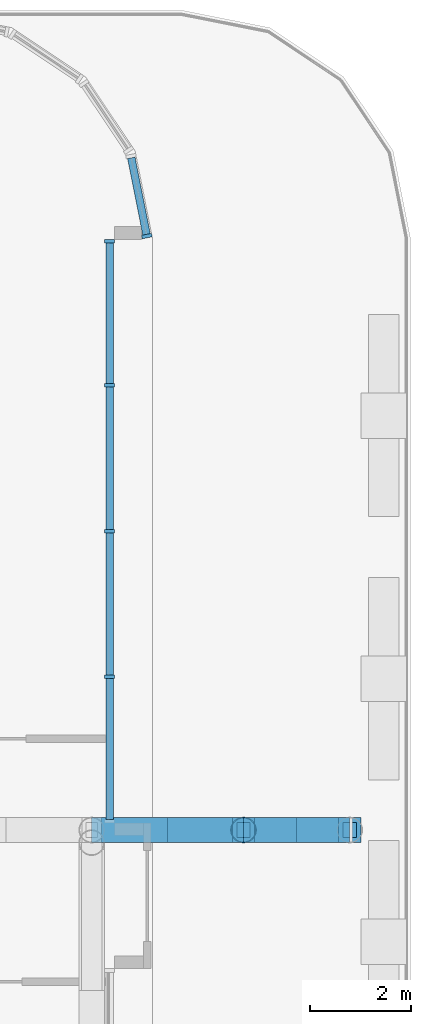
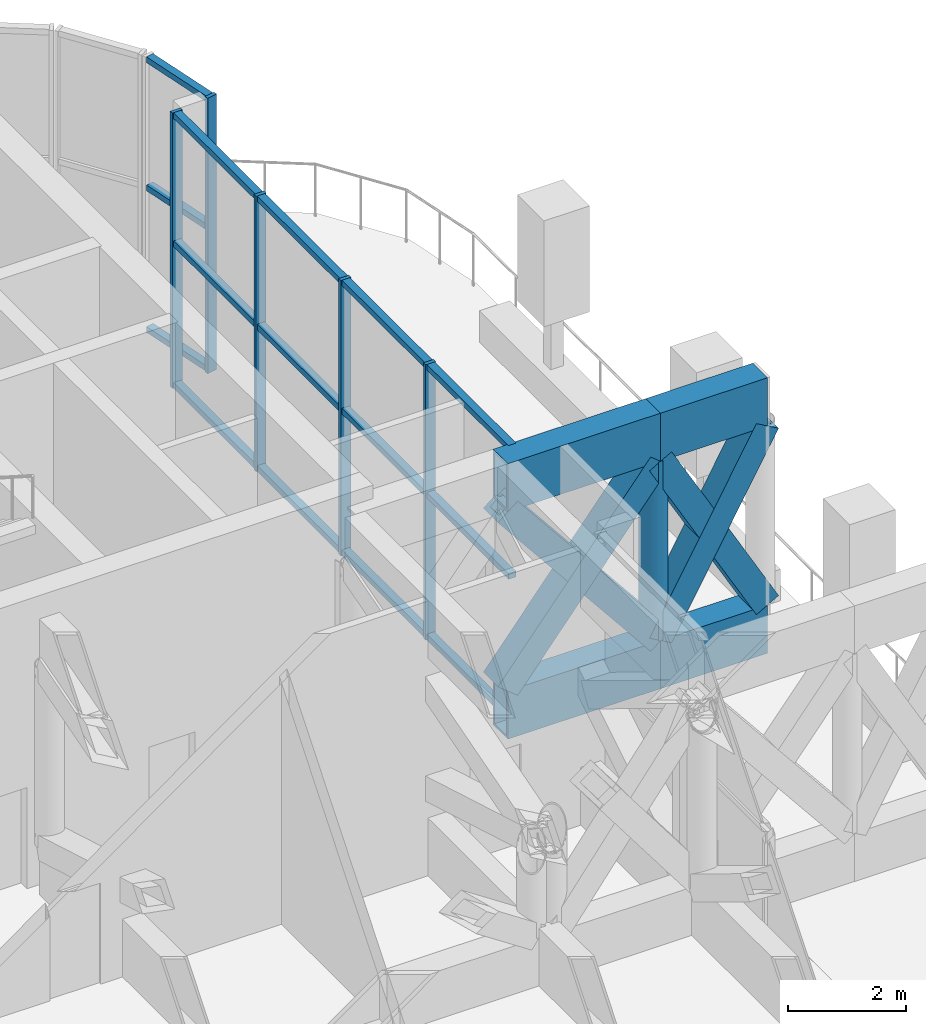
# One storey, part 8 of 25: 25 members, 4 beams, 2 elements without a shape of their own.
"""IFC4 building model written with IfcOpenShell, lengths in metres."""

from ifc_helpers import new_model, si_unit, direction, frame, origin, origin_2d, place, context, subcontext, project, spatial, rectangle, hollow_rectangle, hollow_circle, extrude, material, layer, layer_set, material_profile, profile_set, type_object, element, aggregate, save


model = new_model("IFC4")

# Units and contexts
model_context = context("Model", 3, precision=1e-05, world=origin(), true_north=direction((0.0, 1.0)))
body_context = subcontext(model_context, "Body", "Model", "MODEL_VIEW")
ifc_project = project(units=[si_unit("LENGTHUNIT", "METRE"), si_unit("AREAUNIT", "SQUARE_METRE"), si_unit("VOLUMEUNIT", "CUBIC_METRE"), si_unit("PLANEANGLEUNIT", "RADIAN"), si_unit("MASSUNIT", "GRAM", prefix="KILO")], contexts=[model_context])

# Site, building, storey
site_placement = place(None, origin())
site = spatial("IfcSite", under=ifc_project, at=site_placement, CompositionType="ELEMENT")
building_placement = place(site_placement, origin())
building = spatial("IfcBuilding", under=site, at=building_placement, Name="Torana Hotel and Residences", CompositionType="ELEMENT")
storey_placement = place(building_placement, frame((0.0, 0.0, 106.800048828125)))
storey = spatial("IfcBuildingStorey", under=building, at=storey_placement, Name="L27", CompositionType="ELEMENT", Elevation=106.800048828125)

# Curtain wall, member
ifc_material_1 = material(Name="Dark anodised aluminium", Category="aluminium")
ifc_layer = layer(ifc_material_1, 0.199951171875)
ifc_layer_set = layer_set([ifc_layer], Name="CW2 SKY LOBBY UNITISED CURTAIN WALL")
curtain_wall_type = type_object("IfcCurtainWallType", Name="CW2 SKY LOBBY UNITISED CURTAIN WALL", PredefinedType="NOTDEFINED", material=ifc_layer_set)
curtain_wall_1_placement = place(storey_placement, origin())
curtain_wall_1 = element("IfcCurtainWall", 1, at=curtain_wall_1_placement, inside=storey, type_object=curtain_wall_type, Name="Curtain wall CW2 L27 e0.0-1", PredefinedType="NOTDEFINED")
ifc_material_2 = material(Name="Dark anodised aluminium", Category="aluminium")
ifc_material_profile_1 = material_profile(ifc_material_2, rectangle(XDim=0.199951171875, YDim=0.070068359375, at=origin_2d()), Name="CW2 MULLION 70x200")
ifc_profile_set_1 = profile_set([ifc_material_profile_1], Name="Dark anodised aluminium")
member_type_1 = type_object("IfcMemberType", Name="CW2 MULLION 70x200", PredefinedType="MULLION", material=ifc_profile_set_1)
member_1_placement = place(storey_placement, frame((28.09033203125, -3.260986328125, 0.0), z_axis=(0.0, 0.0, 1.0), x_axis=(-0.980790545928, -0.195063848566, 0.0)))
member_1 = element("IfcMember", 2, at=member_1_placement, type_object=member_type_1, Name="CW2 mullion 1", PredefinedType="MULLION", context=body_context, shape_type="SweptSolid", body=[
    extrude(rectangle(XDim=0.199951171875, YDim=0.070068359375, at=origin_2d()), origin(), (0.0, 0.0, 1.0), 5.719970703125),
])

# Curtain wall, members
curtain_wall_2_placement = place(storey_placement, origin())
curtain_wall_2 = element("IfcCurtainWall", 3, at=curtain_wall_2_placement, inside=storey, type_object=curtain_wall_type, Name="Curtain wall CW2 L27 e0.19-2", PredefinedType="NOTDEFINED")
member_2_placement = place(storey_placement, frame((27.35498046875, -11.974853515625, 0.0), z_axis=(0.0, 0.0, 1.0), x_axis=(-1.0, 0.0, 0.0)))
member_2 = element("IfcMember", 4, at=member_2_placement, type_object=member_type_1, Name="CW2 mullion 2", PredefinedType="MULLION", context=body_context, shape_type="SweptSolid", body=[
    extrude(rectangle(XDim=0.199951171875, YDim=0.070068359375, at=origin_2d()), origin(), (0.0, 0.0, 1.0), 5.719970703125),
])
member_3_placement = place(storey_placement, frame((27.35498046875, -9.091552734375, 0.0), z_axis=(0.0, 0.0, 1.0), x_axis=(-1.0, 0.0, 0.0)))
member_3 = element("IfcMember", 5, at=member_3_placement, type_object=member_type_1, Name="CW2 mullion 3", PredefinedType="MULLION", context=body_context, shape_type="SweptSolid", body=[
    extrude(rectangle(XDim=0.199951171875, YDim=0.070068359375, at=origin_2d()), origin(), (0.0, 0.0, 1.0), 5.719970703125),
])
member_4_placement = place(storey_placement, frame((27.35498046875, -6.2080078125, 0.0), z_axis=(0.0, 0.0, 1.0), x_axis=(-1.0, 0.0, 0.0)))
member_4 = element("IfcMember", 6, at=member_4_placement, type_object=member_type_1, Name="CW2 mullion 4", PredefinedType="MULLION", context=body_context, shape_type="SweptSolid", body=[
    extrude(rectangle(XDim=0.199951171875, YDim=0.070068359375, at=origin_2d()), origin(), (0.0, 0.0, 1.0), 5.719970703125),
])
member_5_placement = place(storey_placement, frame((27.35498046875, -3.359619140625, 0.0), z_axis=(0.0, 0.0, 1.0), x_axis=(-1.0, 0.0, 0.0)))
member_5 = element("IfcMember", 7, at=member_5_placement, type_object=member_type_1, Name="CW2 mullion 5", PredefinedType="MULLION", context=body_context, shape_type="SweptSolid", body=[
    extrude(rectangle(XDim=0.199951171875, YDim=0.070068359375, at=origin_2d()), origin(), (0.0, 0.0, 1.0), 5.719970703125),
])

# Member
ifc_material_3 = material(Name="Dark anodised aluminium", Category="aluminium")
ifc_material_profile_2 = material_profile(ifc_material_3, rectangle(XDim=0.14990234375, YDim=0.1201171875, at=origin_2d()), Name="CW2 TRANSOM 150x120")
ifc_profile_set_2 = profile_set([ifc_material_profile_2], Name="Dark anodised aluminium")
member_type_2 = type_object("IfcMemberType", Name="CW2 TRANSOM 150x120", PredefinedType="USERDEFINED", material=ifc_profile_set_2)
member_6_placement = place(storey_placement, frame((28.08349609375, -3.226806640625, 0.06005859375), z_axis=(-0.19511099609, 0.980781167848, 0.0), x_axis=(-0.980781167848, -0.19511099609, 0.0)))
member_6 = element("IfcMember", 8, at=member_6_placement, type_object=member_type_2, Name="CW2 transom 1.1", ObjectType="TRANSOM", PredefinedType="USERDEFINED", context=body_context, shape_type="SweptSolid", body=[
    extrude(rectangle(XDim=0.14990234375, YDim=0.1201171875, at=origin_2d()), origin(), (0.0, 0.0, 1.0), 1.54150390625),
])

member_7_placement = place(storey_placement, frame((28.08349609375, -3.226806640625, 3.0), z_axis=(-0.19511099609, 0.980781167848, 0.0), x_axis=(-0.980781167848, -0.19511099609, 0.0)))
member_7 = element("IfcMember", 9, at=member_7_placement, type_object=member_type_2, Name="CW2 transom 1.2", ObjectType="TRANSOM", PredefinedType="USERDEFINED", context=body_context, shape_type="SweptSolid", body=[
    extrude(rectangle(XDim=0.14990234375, YDim=0.1201171875, at=origin_2d()), origin(), (0.0, 0.0, 1.0), 1.54150390625),
])

member_8_placement = place(storey_placement, frame((28.08349609375, -3.226806640625, 5.659912109375), z_axis=(-0.19511099609, 0.980781167848, 0.0), x_axis=(-0.980781167848, -0.19511099609, 0.0)))
member_8 = element("IfcMember", 10, at=member_8_placement, type_object=member_type_2, Name="CW2 transom 1.3", ObjectType="TRANSOM", PredefinedType="USERDEFINED", context=body_context, shape_type="SweptSolid", body=[
    extrude(rectangle(XDim=0.14990234375, YDim=0.1201171875, at=origin_2d()), origin(), (0.0, 0.0, 1.0), 1.54150390625),
])

aggregate(curtain_wall_1, [member_1, member_6, member_7, member_8])

member_9_placement = place(storey_placement, frame((27.35498046875, -14.788330078125, 0.06005859375), z_axis=(0.0, 1.0, 0.0), x_axis=(-1.0, 0.0, 0.0)))
member_9 = element("IfcMember", 11, at=member_9_placement, type_object=member_type_2, Name="CW2 transom 1.1", ObjectType="TRANSOM", PredefinedType="USERDEFINED", context=body_context, shape_type="SweptSolid", body=[
    extrude(rectangle(XDim=0.14990234375, YDim=0.1201171875, at=origin_2d()), origin(), (0.0, 0.0, 1.0), 2.778564453125),
])

member_10_placement = place(storey_placement, frame((27.35498046875, -14.788330078125, 3.0), z_axis=(0.0, 1.0, 0.0), x_axis=(-1.0, 0.0, 0.0)))
member_10 = element("IfcMember", 12, at=member_10_placement, type_object=member_type_2, Name="CW2 transom 1.2", ObjectType="TRANSOM", PredefinedType="USERDEFINED", context=body_context, shape_type="SweptSolid", body=[
    extrude(rectangle(XDim=0.14990234375, YDim=0.1201171875, at=origin_2d()), origin(), (0.0, 0.0, 1.0), 2.778564453125),
])

member_11_placement = place(storey_placement, frame((27.35498046875, -14.788330078125, 5.659912109375), z_axis=(0.0, 1.0, 0.0), x_axis=(-1.0, 0.0, 0.0)))
member_11 = element("IfcMember", 13, at=member_11_placement, type_object=member_type_2, Name="CW2 transom 1.3", ObjectType="TRANSOM", PredefinedType="USERDEFINED", context=body_context, shape_type="SweptSolid", body=[
    extrude(rectangle(XDim=0.14990234375, YDim=0.1201171875, at=origin_2d()), origin(), (0.0, 0.0, 1.0), 2.778564453125),
])

member_12_placement = place(storey_placement, frame((27.35498046875, -11.93994140625, 0.06005859375), z_axis=(0.0, 1.0, 0.0), x_axis=(-1.0, 0.0, 0.0)))
member_12 = element("IfcMember", 14, at=member_12_placement, type_object=member_type_2, Name="CW2 transom 2.1", ObjectType="TRANSOM", PredefinedType="USERDEFINED", context=body_context, shape_type="SweptSolid", body=[
    extrude(rectangle(XDim=0.14990234375, YDim=0.1201171875, at=origin_2d()), origin(), (0.0, 0.0, 1.0), 2.8134765625),
])

member_13_placement = place(storey_placement, frame((27.35498046875, -11.93994140625, 3.0), z_axis=(0.0, 1.0, 0.0), x_axis=(-1.0, 0.0, 0.0)))
member_13 = element("IfcMember", 15, at=member_13_placement, type_object=member_type_2, Name="CW2 transom 2.2", ObjectType="TRANSOM", PredefinedType="USERDEFINED", context=body_context, shape_type="SweptSolid", body=[
    extrude(rectangle(XDim=0.14990234375, YDim=0.1201171875, at=origin_2d()), origin(), (0.0, 0.0, 1.0), 2.8134765625),
])

member_14_placement = place(storey_placement, frame((27.35498046875, -11.93994140625, 5.659912109375), z_axis=(0.0, 1.0, 0.0), x_axis=(-1.0, 0.0, 0.0)))
member_14 = element("IfcMember", 16, at=member_14_placement, type_object=member_type_2, Name="CW2 transom 2.3", ObjectType="TRANSOM", PredefinedType="USERDEFINED", context=body_context, shape_type="SweptSolid", body=[
    extrude(rectangle(XDim=0.14990234375, YDim=0.1201171875, at=origin_2d()), origin(), (0.0, 0.0, 1.0), 2.8134765625),
])

member_15_placement = place(storey_placement, frame((27.35498046875, -9.056396484375, 0.06005859375), z_axis=(0.0, 1.0, 0.0), x_axis=(-1.0, 0.0, 0.0)))
member_15 = element("IfcMember", 17, at=member_15_placement, type_object=member_type_2, Name="CW2 transom 3.1", ObjectType="TRANSOM", PredefinedType="USERDEFINED", context=body_context, shape_type="SweptSolid", body=[
    extrude(rectangle(XDim=0.14990234375, YDim=0.1201171875, at=origin_2d()), origin(), (0.0, 0.0, 1.0), 2.8134765625),
])

member_16_placement = place(storey_placement, frame((27.35498046875, -9.056396484375, 3.0), z_axis=(0.0, 1.0, 0.0), x_axis=(-1.0, 0.0, 0.0)))
member_16 = element("IfcMember", 18, at=member_16_placement, type_object=member_type_2, Name="CW2 transom 3.2", ObjectType="TRANSOM", PredefinedType="USERDEFINED", context=body_context, shape_type="SweptSolid", body=[
    extrude(rectangle(XDim=0.14990234375, YDim=0.1201171875, at=origin_2d()), origin(), (0.0, 0.0, 1.0), 2.8134765625),
])

member_17_placement = place(storey_placement, frame((27.35498046875, -9.056396484375, 5.659912109375), z_axis=(0.0, 1.0, 0.0), x_axis=(-1.0, 0.0, 0.0)))
member_17 = element("IfcMember", 19, at=member_17_placement, type_object=member_type_2, Name="CW2 transom 3.3", ObjectType="TRANSOM", PredefinedType="USERDEFINED", context=body_context, shape_type="SweptSolid", body=[
    extrude(rectangle(XDim=0.14990234375, YDim=0.1201171875, at=origin_2d()), origin(), (0.0, 0.0, 1.0), 2.8134765625),
])

member_18_placement = place(storey_placement, frame((27.35498046875, -6.173095703125, 0.06005859375), z_axis=(0.0, 1.0, 0.0), x_axis=(-1.0, 0.0, 0.0)))
member_18 = element("IfcMember", 20, at=member_18_placement, type_object=member_type_2, Name="CW2 transom 4.1", ObjectType="TRANSOM", PredefinedType="USERDEFINED", context=body_context, shape_type="SweptSolid", body=[
    extrude(rectangle(XDim=0.14990234375, YDim=0.1201171875, at=origin_2d()), origin(), (0.0, 0.0, 1.0), 2.778564453125),
])

member_19_placement = place(storey_placement, frame((27.35498046875, -6.173095703125, 3.0), z_axis=(0.0, 1.0, 0.0), x_axis=(-1.0, 0.0, 0.0)))
member_19 = element("IfcMember", 21, at=member_19_placement, type_object=member_type_2, Name="CW2 transom 4.2", ObjectType="TRANSOM", PredefinedType="USERDEFINED", context=body_context, shape_type="SweptSolid", body=[
    extrude(rectangle(XDim=0.14990234375, YDim=0.1201171875, at=origin_2d()), origin(), (0.0, 0.0, 1.0), 2.778564453125),
])

member_20_placement = place(storey_placement, frame((27.35498046875, -6.173095703125, 5.659912109375), z_axis=(0.0, 1.0, 0.0), x_axis=(-1.0, 0.0, 0.0)))
member_20 = element("IfcMember", 22, at=member_20_placement, type_object=member_type_2, Name="CW2 transom 4.3", ObjectType="TRANSOM", PredefinedType="USERDEFINED", context=body_context, shape_type="SweptSolid", body=[
    extrude(rectangle(XDim=0.14990234375, YDim=0.1201171875, at=origin_2d()), origin(), (0.0, 0.0, 1.0), 2.778564453125),
])

aggregate(curtain_wall_2, [member_2, member_3, member_4, member_5, member_9, member_10, member_11, member_12, member_13, member_14, member_15, member_16, member_17, member_18, member_19, member_20])

# Beams
ifc_material_4 = material(Name="Steel S355", Category="steel")
ifc_material_profile_3 = material_profile(ifc_material_4, hollow_rectangle(XDim=0.5, YDim=1.0, WallThickness=0.050048828125, at=origin_2d()), Name="BOX 1000x500x50")
ifc_profile_set_3 = profile_set([ifc_material_profile_3], Name="Steel S355")
beam_type = type_object("IfcBeamType", Name="STEEL CHORD BOX 1000x500x50", PredefinedType="BEAM", material=ifc_profile_set_3)
for number, where, z_axis, x_axis, name in (
    (23, (27.0, -15.0, 0.5), (1.0, 0.0, 0.0), (0.0, 1.0, 0.0), "Transfer chord L27"),
    (24, (27.0, -15.0, 5.219970703125), (1.0, 0.0, 0.0), (0.0, 1.0, 0.0), "Transfer chord L27"),
):
    element("IfcBeam", number, at=place(storey_placement, frame(where, z_axis=z_axis, x_axis=x_axis)), inside=storey, type_object=beam_type, Name=name, PredefinedType="BEAM", context=body_context, shape_type="SweptSolid", body=[
        extrude(hollow_rectangle(XDim=0.5, YDim=1.0, WallThickness=0.050048828125, at=origin_2d()), origin(), (0.0, 0.0, 1.0), 3.0),
    ])
for number, where, z_axis, x_axis, name in (
    (25, (30.0, -15.0, 0.5), (1.0, 0.0, 0.0), (0.0, 1.0, 0.0), "Transfer chord L27"),
    (26, (30.0, -15.0, 5.219970703125), (1.0, 0.0, 0.0), (0.0, 1.0, 0.0), "Transfer chord L27"),
):
    element("IfcBeam", number, at=place(storey_placement, frame(where, z_axis=z_axis, x_axis=x_axis)), inside=storey, type_object=beam_type, Name=name, PredefinedType="BEAM", context=body_context, shape_type="SweptSolid", body=[
        extrude(hollow_rectangle(XDim=0.5, YDim=1.0, WallThickness=0.050048828125, at=origin_2d()), origin(), (0.0, 0.0, 1.0), 2.10009765625),
    ])

# Members
ifc_material_5 = material(Name="Steel S355", Category="steel")
ifc_material_profile_4 = material_profile(ifc_material_5, hollow_rectangle(XDim=0.5, YDim=0.5, WallThickness=0.10009765625, at=origin_2d()), Name="BOX 500x500x100")
ifc_profile_set_4 = profile_set([ifc_material_profile_4], Name="Steel S355")
member_type_3 = type_object("IfcMemberType", Name="STEEL DIAGONAL BOX 500x500x100", PredefinedType="BRACE", material=ifc_profile_set_4)
for number, where, z_axis, x_axis, name in (
    (27, (27.0, -15.0, 1.0), (0.627755446821, 0.0, 0.778410623634), (0.0, 1.0, 0.0), "Truss diagonal L27"),
    (28, (30.0, -15.0, 1.0), (-0.627755446821, 0.0, 0.778410623634), (0.0, -1.0, 0.0), "Truss diagonal L27"),
):
    element("IfcMember", number, at=place(storey_placement, frame(where, z_axis=z_axis, x_axis=x_axis)), inside=storey, type_object=member_type_3, Name=name, PredefinedType="BRACE", context=body_context, shape_type="SweptSolid", body=[
        extrude(hollow_rectangle(XDim=0.5, YDim=0.5, WallThickness=0.10009765625, at=origin_2d()), origin(), (0.0, 0.0, 1.0), 4.779052734375),
    ])
for number, where, z_axis, x_axis, name in (
    (29, (30.0, -15.0, 1.0), (0.491614639726, 0.0, 0.87081286509), (0.0, 1.0, 0.0), "Truss diagonal L27"),
    (30, (32.10009765625, -15.0, 1.0), (-0.491614639726, 0.0, 0.87081286509), (0.0, -1.0, 0.0), "Truss diagonal L27"),
):
    element("IfcMember", number, at=place(storey_placement, frame(where, z_axis=z_axis, x_axis=x_axis)), inside=storey, type_object=member_type_3, Name=name, PredefinedType="BRACE", context=body_context, shape_type="SweptSolid", body=[
        extrude(hollow_rectangle(XDim=0.5, YDim=0.5, WallThickness=0.10009765625, at=origin_2d()), origin(), (0.0, 0.0, 1.0), 4.271728515625),
    ])
ifc_material_6 = material(Name="Steel S355", Category="steel")
ifc_material_profile_5 = material_profile(ifc_material_6, hollow_circle(Radius=0.25390625, WallThickness=0.01611328125, at=origin_2d()), Name="508x16 CHS")
ifc_profile_set_5 = profile_set([ifc_material_profile_5], Name="Steel S355")
member_type_4 = type_object("IfcMemberType", Name="STEEL POST 508x16 CHS", PredefinedType="POST", material=ifc_profile_set_5)
member_21_placement = place(storey_placement, frame((30.0, -15.0, 1.0), z_axis=(0.0, 0.0, 1.0), x_axis=(1.0, 0.0, 0.0)))
element("IfcMember", 31, at=member_21_placement, inside=storey, type_object=member_type_4, Name="Truss post L27", PredefinedType="POST", context=body_context, shape_type="SweptSolid", body=[
    extrude(hollow_circle(Radius=0.25390625, WallThickness=0.01611328125, at=origin_2d()), origin(), (0.0, 0.0, 1.0), 3.719970703125),
])

save(model, "model.ifc")
